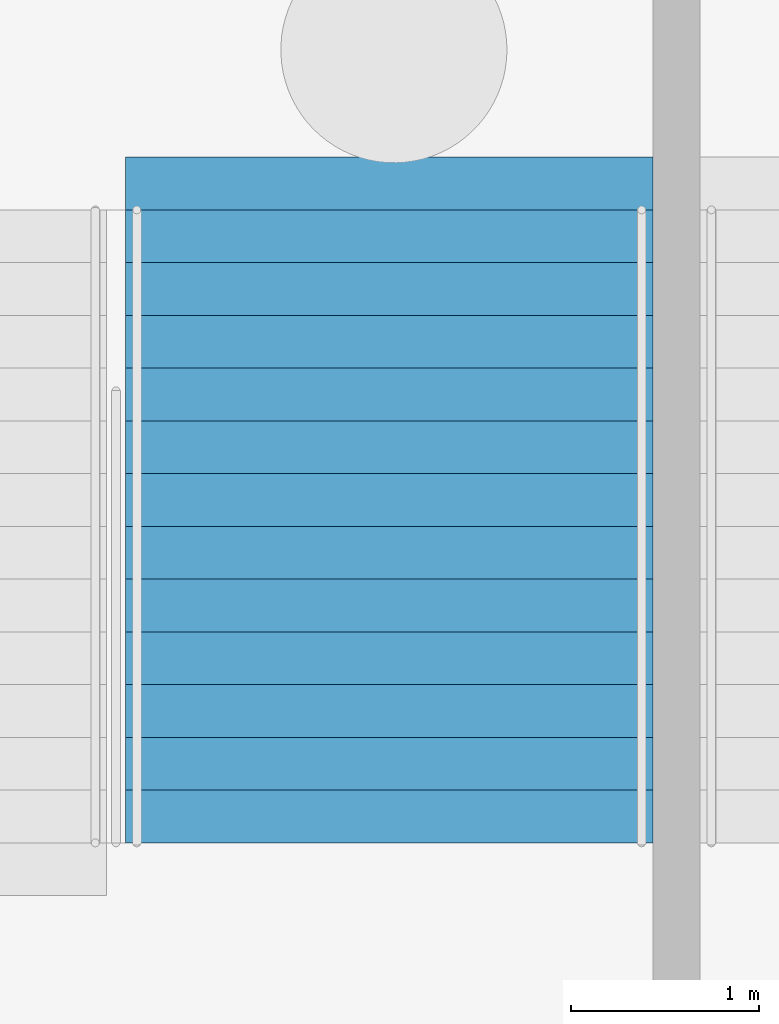
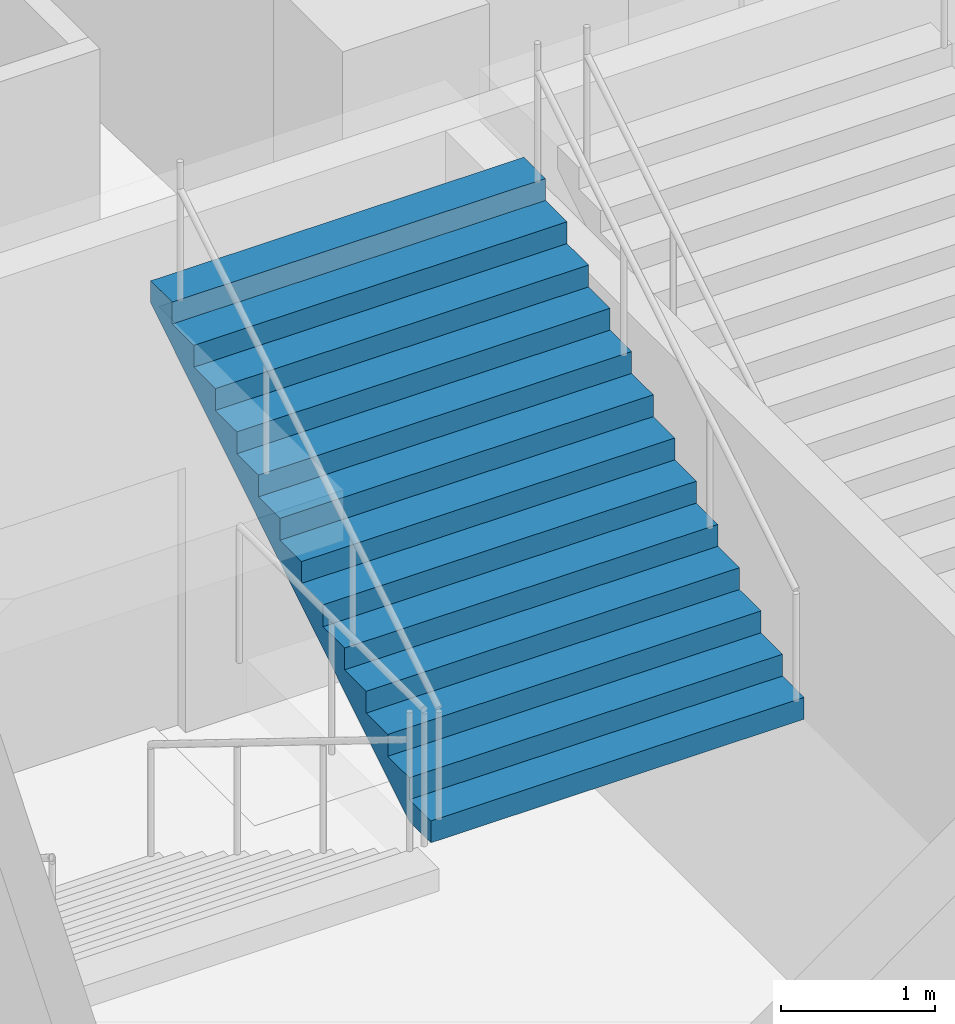
# One storey, part 68 of 115: 1 stair flight, 1 element without a shape of its own.
"""IFC4 building model written with IfcOpenShell, lengths in metres."""

from ifc_helpers import new_model, si_unit, direction, frame, origin, place, context, subcontext, project, spatial, faceted_brep, material, type_object, element, aggregate, save


model = new_model("IFC4")

# Units and contexts
model_context = context("Model", 3, precision=1e-05, world=origin(), true_north=direction((0.0, 1.0)))
body_context = subcontext(model_context, "Body", "Model", "MODEL_VIEW")
ifc_project = project(units=[si_unit("LENGTHUNIT", "METRE"), si_unit("AREAUNIT", "SQUARE_METRE"), si_unit("VOLUMEUNIT", "CUBIC_METRE"), si_unit("PLANEANGLEUNIT", "RADIAN"), si_unit("MASSUNIT", "GRAM", prefix="KILO")], contexts=[model_context])

# Site, building, storey
site_placement = place(None, origin())
site = spatial("IfcSite", under=ifc_project, at=site_placement, CompositionType="ELEMENT")
building_placement = place(site_placement, origin())
building = spatial("IfcBuilding", under=site, at=building_placement, Name="Ogive Plaza Stadium", CompositionType="ELEMENT")
storey_placement = place(building_placement, frame((0.0, 0.0, -4.5)))
storey = spatial("IfcBuildingStorey", under=building, at=storey_placement, Name="B1", CompositionType="ELEMENT", Elevation=-4.5)

# Stair, stair flight
ifc_material_1 = material(Name="Concrete C40/50", Category="concrete")
stair_type = type_object("IfcStairType", Name="Exit stair", PredefinedType="STRAIGHT_RUN_STAIR", material=ifc_material_1)
stair_placement = place(storey_placement, origin())
stair = element("IfcStair", 1, at=stair_placement, inside=storey, type_object=stair_type, Name="Exit stair ST12A B1 to L00", PredefinedType="STRAIGHT_RUN_STAIR")
ifc_material_2 = material(Name="Concrete C40/50", Category="concrete")
stair_flight_type = type_object("IfcStairFlightType", Name="Exit stair flight", PredefinedType="STRAIGHT", material=ifc_material_2)
stair_flight_placement = place(storey_placement, frame((32.47509765625, -98.2099609375, 2.25), z_axis=(0.0, 0.0, 1.0), x_axis=(0.0, 1.0, 0.0)))
stair_flight = element("IfcStairFlight", 2, at=stair_flight_placement, type_object=stair_flight_type, Name="ST12A flight 2", NumberOfRisers=13, NumberOfTreads=12, PredefinedType="STRAIGHT", RiserHeight=0.173076923, TreadLength=0.28, context=body_context, shape_type="Brep", body=[
    faceted_brep([(0.28515625, -1.39990234375, 0.0), (3.639892578125, -1.39990234375, 2.07373046875), (3.639892578125, -1.39990234375, 2.25), (3.360107421875, -1.39990234375, 2.25), (3.360107421875, -1.39990234375, 2.076904296875), (3.080078125, -1.39990234375, 2.076904296875), (3.080078125, -1.39990234375, 1.90380859375), (2.800048828125, -1.39990234375, 1.90380859375), (2.800048828125, -1.39990234375, 1.730712890625), (2.52001953125, -1.39990234375, 1.730712890625), (2.52001953125, -1.39990234375, 1.5576171875), (2.239990234375, -1.39990234375, 1.5576171875), (2.239990234375, -1.39990234375, 1.384521484375), (1.9599609375, -1.39990234375, 1.384521484375), (1.9599609375, -1.39990234375, 1.21142578125), (1.679931640625, -1.39990234375, 1.21142578125), (1.679931640625, -1.39990234375, 1.03857421875), (1.39990234375, -1.39990234375, 1.03857421875), (1.39990234375, -1.39990234375, 0.865478515625), (1.1201171875, -1.39990234375, 0.865478515625), (1.1201171875, -1.39990234375, 0.6923828125), (0.840087890625, -1.39990234375, 0.6923828125), (0.840087890625, -1.39990234375, 0.519287109375), (0.56005859375, -1.39990234375, 0.519287109375), (0.56005859375, -1.39990234375, 0.34619140625), (0.280029296875, -1.39990234375, 0.34619140625), (0.280029296875, -1.39990234375, 0.173095703125), (0.0, -1.39990234375, 0.173095703125), (0.0, -1.39990234375, 0.0), (0.0, 1.39990234375, 0.0), (0.0, 1.39990234375, 0.173095703125), (0.280029296875, 1.39990234375, 0.173095703125), (0.280029296875, 1.39990234375, 0.34619140625), (0.56005859375, 1.39990234375, 0.34619140625), (0.56005859375, 1.39990234375, 0.519287109375), (0.840087890625, 1.39990234375, 0.519287109375), (0.840087890625, 1.39990234375, 0.6923828125), (1.1201171875, 1.39990234375, 0.6923828125), (1.1201171875, 1.39990234375, 0.865478515625), (1.39990234375, 1.39990234375, 0.865478515625), (1.39990234375, 1.39990234375, 1.03857421875), (1.679931640625, 1.39990234375, 1.03857421875), (1.679931640625, 1.39990234375, 1.21142578125), (1.9599609375, 1.39990234375, 1.21142578125), (1.9599609375, 1.39990234375, 1.384521484375), (2.239990234375, 1.39990234375, 1.384521484375), (2.239990234375, 1.39990234375, 1.5576171875), (2.52001953125, 1.39990234375, 1.5576171875), (2.52001953125, 1.39990234375, 1.730712890625), (2.800048828125, 1.39990234375, 1.730712890625), (2.800048828125, 1.39990234375, 1.90380859375), (3.080078125, 1.39990234375, 1.90380859375), (3.080078125, 1.39990234375, 2.076904296875), (3.360107421875, 1.39990234375, 2.076904296875), (3.360107421875, 1.39990234375, 2.25), (3.639892578125, 1.39990234375, 2.25), (3.639892578125, 1.39990234375, 2.07373046875), (0.28515625, 1.39990234375, 0.0), (0.28515625, -1.0888671875, 0.0), (3.639892578125, -1.0888671875, 2.07373046875), (0.28515625, -0.77783203125, 0.0), (3.639892578125, -0.77783203125, 2.07373046875), (0.28515625, -0.466796875, 0.0), (3.639892578125, -0.466796875, 2.07373046875), (0.28515625, -0.155517578125, 0.0), (3.639892578125, -0.155517578125, 2.07373046875), (0.28515625, 0.155517578125, 0.0), (3.639892578125, 0.155517578125, 2.07373046875), (0.28515625, 0.466796875, 0.0), (3.639892578125, 0.466796875, 2.07373046875), (0.28515625, 0.77783203125, 0.0), (3.639892578125, 0.77783203125, 2.07373046875), (0.28515625, 1.0888671875, 0.0), (3.639892578125, 1.0888671875, 2.07373046875), (3.639892578125, -1.0888671875, 2.25), (3.639892578125, -0.77783203125, 2.25), (3.639892578125, -0.466796875, 2.25), (3.639892578125, -0.155517578125, 2.25), (3.639892578125, 0.155517578125, 2.25), (3.639892578125, 0.466796875, 2.25), (3.639892578125, 0.77783203125, 2.25), (3.639892578125, 1.0888671875, 2.25), (3.360107421875, -1.0888671875, 2.25), (3.360107421875, -0.77783203125, 2.25), (3.360107421875, -0.466796875, 2.25), (3.360107421875, -0.155517578125, 2.25), (3.360107421875, 0.155517578125, 2.25), (3.360107421875, 0.466796875, 2.25), (3.360107421875, 0.77783203125, 2.25), (3.360107421875, 1.0888671875, 2.25), (3.360107421875, -1.0888671875, 2.076904296875), (3.360107421875, -0.77783203125, 2.076904296875), (3.360107421875, -0.466796875, 2.076904296875), (3.360107421875, -0.155517578125, 2.076904296875), (3.360107421875, 0.155517578125, 2.076904296875), (3.360107421875, 0.466796875, 2.076904296875), (3.360107421875, 0.77783203125, 2.076904296875), (3.360107421875, 1.0888671875, 2.076904296875), (3.080078125, -1.0888671875, 2.076904296875), (3.080078125, -0.77783203125, 2.076904296875), (3.080078125, -0.466796875, 2.076904296875), (3.080078125, -0.155517578125, 2.076904296875), (3.080078125, 0.155517578125, 2.076904296875), (3.080078125, 0.466796875, 2.076904296875), (3.080078125, 0.77783203125, 2.076904296875), (3.080078125, 1.0888671875, 2.076904296875), (3.080078125, -1.0888671875, 1.90380859375), (3.080078125, -0.77783203125, 1.90380859375), (3.080078125, -0.466796875, 1.90380859375), (3.080078125, -0.155517578125, 1.90380859375), (3.080078125, 0.155517578125, 1.90380859375), (3.080078125, 0.466796875, 1.90380859375), (3.080078125, 0.77783203125, 1.90380859375), (3.080078125, 1.0888671875, 1.90380859375), (2.800048828125, -1.0888671875, 1.90380859375), (2.800048828125, -0.77783203125, 1.90380859375), (2.800048828125, -0.466796875, 1.90380859375), (2.800048828125, -0.155517578125, 1.90380859375), (2.800048828125, 0.155517578125, 1.90380859375), (2.800048828125, 0.466796875, 1.90380859375), (2.800048828125, 0.77783203125, 1.90380859375), (2.800048828125, 1.0888671875, 1.90380859375), (2.800048828125, -1.0888671875, 1.730712890625), (2.800048828125, -0.77783203125, 1.730712890625), (2.800048828125, -0.466796875, 1.730712890625), (2.800048828125, -0.155517578125, 1.730712890625), (2.800048828125, 0.155517578125, 1.730712890625), (2.800048828125, 0.466796875, 1.730712890625), (2.800048828125, 0.77783203125, 1.730712890625), (2.800048828125, 1.0888671875, 1.730712890625), (2.52001953125, -1.0888671875, 1.730712890625), (2.52001953125, -0.77783203125, 1.730712890625), (2.52001953125, -0.466796875, 1.730712890625), (2.52001953125, -0.155517578125, 1.730712890625), (2.52001953125, 0.155517578125, 1.730712890625), (2.52001953125, 0.466796875, 1.730712890625), (2.52001953125, 0.77783203125, 1.730712890625), (2.52001953125, 1.0888671875, 1.730712890625), (2.52001953125, -1.0888671875, 1.5576171875), (2.52001953125, -0.77783203125, 1.5576171875), (2.52001953125, -0.466796875, 1.5576171875), (2.52001953125, -0.155517578125, 1.5576171875), (2.52001953125, 0.155517578125, 1.5576171875), (2.52001953125, 0.466796875, 1.5576171875), (2.52001953125, 0.77783203125, 1.5576171875), (2.52001953125, 1.0888671875, 1.5576171875), (2.239990234375, -1.0888671875, 1.5576171875), (2.239990234375, -0.77783203125, 1.5576171875), (2.239990234375, -0.466796875, 1.5576171875), (2.239990234375, -0.155517578125, 1.5576171875), (2.239990234375, 0.155517578125, 1.5576171875), (2.239990234375, 0.466796875, 1.5576171875), (2.239990234375, 0.77783203125, 1.5576171875), (2.239990234375, 1.0888671875, 1.5576171875), (2.239990234375, -1.0888671875, 1.384521484375), (2.239990234375, -0.77783203125, 1.384521484375), (2.239990234375, -0.466796875, 1.384521484375), (2.239990234375, -0.155517578125, 1.384521484375), (2.239990234375, 0.155517578125, 1.384521484375), (2.239990234375, 0.466796875, 1.384521484375), (2.239990234375, 0.77783203125, 1.384521484375), (2.239990234375, 1.0888671875, 1.384521484375), (1.9599609375, -1.0888671875, 1.384521484375), (1.9599609375, -0.77783203125, 1.384521484375), (1.9599609375, -0.466796875, 1.384521484375), (1.9599609375, -0.155517578125, 1.384521484375), (1.9599609375, 0.155517578125, 1.384521484375), (1.9599609375, 0.466796875, 1.384521484375), (1.9599609375, 0.77783203125, 1.384521484375), (1.9599609375, 1.0888671875, 1.384521484375), (1.9599609375, -1.0888671875, 1.21142578125), (1.9599609375, -0.77783203125, 1.21142578125), (1.9599609375, -0.466796875, 1.21142578125), (1.9599609375, -0.155517578125, 1.21142578125), (1.9599609375, 0.155517578125, 1.21142578125), (1.9599609375, 0.466796875, 1.21142578125), (1.9599609375, 0.77783203125, 1.21142578125), (1.9599609375, 1.0888671875, 1.21142578125), (1.679931640625, -1.0888671875, 1.21142578125), (1.679931640625, -0.77783203125, 1.21142578125), (1.679931640625, -0.466796875, 1.21142578125), (1.679931640625, -0.155517578125, 1.21142578125), (1.679931640625, 0.155517578125, 1.21142578125), (1.679931640625, 0.466796875, 1.21142578125), (1.679931640625, 0.77783203125, 1.21142578125), (1.679931640625, 1.0888671875, 1.21142578125), (1.679931640625, -1.0888671875, 1.03857421875), (1.679931640625, -0.77783203125, 1.03857421875), (1.679931640625, -0.466796875, 1.03857421875), (1.679931640625, -0.155517578125, 1.03857421875), (1.679931640625, 0.155517578125, 1.03857421875), (1.679931640625, 0.466796875, 1.03857421875), (1.679931640625, 0.77783203125, 1.03857421875), (1.679931640625, 1.0888671875, 1.03857421875), (1.39990234375, -1.0888671875, 1.03857421875), (1.39990234375, -0.77783203125, 1.03857421875), (1.39990234375, -0.466796875, 1.03857421875), (1.39990234375, -0.155517578125, 1.03857421875), (1.39990234375, 0.155517578125, 1.03857421875), (1.39990234375, 0.466796875, 1.03857421875), (1.39990234375, 0.77783203125, 1.03857421875), (1.39990234375, 1.0888671875, 1.03857421875), (1.39990234375, -1.0888671875, 0.865478515625), (1.39990234375, -0.77783203125, 0.865478515625), (1.39990234375, -0.466796875, 0.865478515625), (1.39990234375, -0.155517578125, 0.865478515625), (1.39990234375, 0.155517578125, 0.865478515625), (1.39990234375, 0.466796875, 0.865478515625), (1.39990234375, 0.77783203125, 0.865478515625), (1.39990234375, 1.0888671875, 0.865478515625), (1.1201171875, -1.0888671875, 0.865478515625), (1.1201171875, -0.77783203125, 0.865478515625), (1.1201171875, -0.466796875, 0.865478515625), (1.1201171875, -0.155517578125, 0.865478515625), (1.1201171875, 0.155517578125, 0.865478515625), (1.1201171875, 0.466796875, 0.865478515625), (1.1201171875, 0.77783203125, 0.865478515625), (1.1201171875, 1.0888671875, 0.865478515625), (1.1201171875, -1.0888671875, 0.6923828125), (1.1201171875, -0.77783203125, 0.6923828125), (1.1201171875, -0.466796875, 0.6923828125), (1.1201171875, -0.155517578125, 0.6923828125), (1.1201171875, 0.155517578125, 0.6923828125), (1.1201171875, 0.466796875, 0.6923828125), (1.1201171875, 0.77783203125, 0.6923828125), (1.1201171875, 1.0888671875, 0.6923828125), (0.840087890625, -1.0888671875, 0.6923828125), (0.840087890625, -0.77783203125, 0.6923828125), (0.840087890625, -0.466796875, 0.6923828125), (0.840087890625, -0.155517578125, 0.6923828125), (0.840087890625, 0.155517578125, 0.6923828125), (0.840087890625, 0.466796875, 0.6923828125), (0.840087890625, 0.77783203125, 0.6923828125), (0.840087890625, 1.0888671875, 0.6923828125), (0.840087890625, -1.0888671875, 0.519287109375), (0.840087890625, -0.77783203125, 0.519287109375), (0.840087890625, -0.466796875, 0.519287109375), (0.840087890625, -0.155517578125, 0.519287109375), (0.840087890625, 0.155517578125, 0.519287109375), (0.840087890625, 0.466796875, 0.519287109375), (0.840087890625, 0.77783203125, 0.519287109375), (0.840087890625, 1.0888671875, 0.519287109375), (0.56005859375, -1.0888671875, 0.519287109375), (0.56005859375, -0.77783203125, 0.519287109375), (0.56005859375, -0.466796875, 0.519287109375), (0.56005859375, -0.155517578125, 0.519287109375), (0.56005859375, 0.155517578125, 0.519287109375), (0.56005859375, 0.466796875, 0.519287109375), (0.56005859375, 0.77783203125, 0.519287109375), (0.56005859375, 1.0888671875, 0.519287109375), (0.56005859375, -1.0888671875, 0.34619140625), (0.56005859375, -0.77783203125, 0.34619140625), (0.56005859375, -0.466796875, 0.34619140625), (0.56005859375, -0.155517578125, 0.34619140625), (0.56005859375, 0.155517578125, 0.34619140625), (0.56005859375, 0.466796875, 0.34619140625), (0.56005859375, 0.77783203125, 0.34619140625), (0.56005859375, 1.0888671875, 0.34619140625), (0.280029296875, -1.0888671875, 0.34619140625), (0.280029296875, -0.77783203125, 0.34619140625), (0.280029296875, -0.466796875, 0.34619140625), (0.280029296875, -0.155517578125, 0.34619140625), (0.280029296875, 0.155517578125, 0.34619140625), (0.280029296875, 0.466796875, 0.34619140625), (0.280029296875, 0.77783203125, 0.34619140625), (0.280029296875, 1.0888671875, 0.34619140625), (0.280029296875, -1.0888671875, 0.173095703125), (0.280029296875, -0.77783203125, 0.173095703125), (0.280029296875, -0.466796875, 0.173095703125), (0.280029296875, -0.155517578125, 0.173095703125), (0.280029296875, 0.155517578125, 0.173095703125), (0.280029296875, 0.466796875, 0.173095703125), (0.280029296875, 0.77783203125, 0.173095703125), (0.280029296875, 1.0888671875, 0.173095703125), (0.0, -1.0888671875, 0.173095703125), (0.0, -0.77783203125, 0.173095703125), (0.0, -0.466796875, 0.173095703125), (0.0, -0.155517578125, 0.173095703125), (0.0, 0.155517578125, 0.173095703125), (0.0, 0.466796875, 0.173095703125), (0.0, 0.77783203125, 0.173095703125), (0.0, 1.0888671875, 0.173095703125), (0.0, -1.0888671875, 0.0), (0.0, -0.77783203125, 0.0), (0.0, -0.466796875, 0.0), (0.0, -0.155517578125, 0.0), (0.0, 0.155517578125, 0.0), (0.0, 0.466796875, 0.0), (0.0, 0.77783203125, 0.0), (0.0, 1.0888671875, 0.0)], [[[0, 1, 2, 3, 4, 5, 6, 7, 8, 9, 10, 11, 12, 13, 14, 15, 16, 17, 18, 19, 20, 21, 22, 23, 24, 25, 26, 27, 28]], [[29, 30, 31, 32, 33, 34, 35, 36, 37, 38, 39, 40, 41, 42, 43, 44, 45, 46, 47, 48, 49, 50, 51, 52, 53, 54, 55, 56, 57]], [[0, 58, 59, 1]], [[58, 60, 61, 59]], [[60, 62, 63, 61]], [[62, 64, 65, 63]], [[64, 66, 67, 65]], [[66, 68, 69, 67]], [[68, 70, 71, 69]], [[70, 72, 73, 71]], [[72, 57, 56, 73]], [[1, 59, 74, 2]], [[59, 61, 75, 74]], [[61, 63, 76, 75]], [[63, 65, 77, 76]], [[65, 67, 78, 77]], [[67, 69, 79, 78]], [[69, 71, 80, 79]], [[71, 73, 81, 80]], [[73, 56, 55, 81]], [[2, 74, 82, 3]], [[74, 75, 83, 82]], [[75, 76, 84, 83]], [[76, 77, 85, 84]], [[77, 78, 86, 85]], [[78, 79, 87, 86]], [[79, 80, 88, 87]], [[80, 81, 89, 88]], [[81, 55, 54, 89]], [[3, 82, 90, 4]], [[82, 83, 91, 90]], [[83, 84, 92, 91]], [[84, 85, 93, 92]], [[85, 86, 94, 93]], [[86, 87, 95, 94]], [[87, 88, 96, 95]], [[88, 89, 97, 96]], [[89, 54, 53, 97]], [[4, 90, 98, 5]], [[90, 91, 99, 98]], [[91, 92, 100, 99]], [[92, 93, 101, 100]], [[93, 94, 102, 101]], [[94, 95, 103, 102]], [[95, 96, 104, 103]], [[96, 97, 105, 104]], [[97, 53, 52, 105]], [[5, 98, 106, 6]], [[98, 99, 107, 106]], [[99, 100, 108, 107]], [[100, 101, 109, 108]], [[101, 102, 110, 109]], [[102, 103, 111, 110]], [[103, 104, 112, 111]], [[104, 105, 113, 112]], [[105, 52, 51, 113]], [[6, 106, 114, 7]], [[106, 107, 115, 114]], [[107, 108, 116, 115]], [[108, 109, 117, 116]], [[109, 110, 118, 117]], [[110, 111, 119, 118]], [[111, 112, 120, 119]], [[112, 113, 121, 120]], [[113, 51, 50, 121]], [[7, 114, 122, 8]], [[114, 115, 123, 122]], [[115, 116, 124, 123]], [[116, 117, 125, 124]], [[117, 118, 126, 125]], [[118, 119, 127, 126]], [[119, 120, 128, 127]], [[120, 121, 129, 128]], [[121, 50, 49, 129]], [[8, 122, 130, 9]], [[122, 123, 131, 130]], [[123, 124, 132, 131]], [[124, 125, 133, 132]], [[125, 126, 134, 133]], [[126, 127, 135, 134]], [[127, 128, 136, 135]], [[128, 129, 137, 136]], [[129, 49, 48, 137]], [[9, 130, 138, 10]], [[130, 131, 139, 138]], [[131, 132, 140, 139]], [[132, 133, 141, 140]], [[133, 134, 142, 141]], [[134, 135, 143, 142]], [[135, 136, 144, 143]], [[136, 137, 145, 144]], [[137, 48, 47, 145]], [[10, 138, 146, 11]], [[138, 139, 147, 146]], [[139, 140, 148, 147]], [[140, 141, 149, 148]], [[141, 142, 150, 149]], [[142, 143, 151, 150]], [[143, 144, 152, 151]], [[144, 145, 153, 152]], [[145, 47, 46, 153]], [[11, 146, 154, 12]], [[146, 147, 155, 154]], [[147, 148, 156, 155]], [[148, 149, 157, 156]], [[149, 150, 158, 157]], [[150, 151, 159, 158]], [[151, 152, 160, 159]], [[152, 153, 161, 160]], [[153, 46, 45, 161]], [[12, 154, 162, 13]], [[154, 155, 163, 162]], [[155, 156, 164, 163]], [[156, 157, 165, 164]], [[157, 158, 166, 165]], [[158, 159, 167, 166]], [[159, 160, 168, 167]], [[160, 161, 169, 168]], [[161, 45, 44, 169]], [[13, 162, 170, 14]], [[162, 163, 171, 170]], [[163, 164, 172, 171]], [[164, 165, 173, 172]], [[165, 166, 174, 173]], [[166, 167, 175, 174]], [[167, 168, 176, 175]], [[168, 169, 177, 176]], [[169, 44, 43, 177]], [[14, 170, 178, 15]], [[170, 171, 179, 178]], [[171, 172, 180, 179]], [[172, 173, 181, 180]], [[173, 174, 182, 181]], [[174, 175, 183, 182]], [[175, 176, 184, 183]], [[176, 177, 185, 184]], [[177, 43, 42, 185]], [[15, 178, 186, 16]], [[178, 179, 187, 186]], [[179, 180, 188, 187]], [[180, 181, 189, 188]], [[181, 182, 190, 189]], [[182, 183, 191, 190]], [[183, 184, 192, 191]], [[184, 185, 193, 192]], [[185, 42, 41, 193]], [[16, 186, 194, 17]], [[186, 187, 195, 194]], [[187, 188, 196, 195]], [[188, 189, 197, 196]], [[189, 190, 198, 197]], [[190, 191, 199, 198]], [[191, 192, 200, 199]], [[192, 193, 201, 200]], [[193, 41, 40, 201]], [[17, 194, 202, 18]], [[194, 195, 203, 202]], [[195, 196, 204, 203]], [[196, 197, 205, 204]], [[197, 198, 206, 205]], [[198, 199, 207, 206]], [[199, 200, 208, 207]], [[200, 201, 209, 208]], [[201, 40, 39, 209]], [[18, 202, 210, 19]], [[202, 203, 211, 210]], [[203, 204, 212, 211]], [[204, 205, 213, 212]], [[205, 206, 214, 213]], [[206, 207, 215, 214]], [[207, 208, 216, 215]], [[208, 209, 217, 216]], [[209, 39, 38, 217]], [[19, 210, 218, 20]], [[210, 211, 219, 218]], [[211, 212, 220, 219]], [[212, 213, 221, 220]], [[213, 214, 222, 221]], [[214, 215, 223, 222]], [[215, 216, 224, 223]], [[216, 217, 225, 224]], [[217, 38, 37, 225]], [[20, 218, 226, 21]], [[218, 219, 227, 226]], [[219, 220, 228, 227]], [[220, 221, 229, 228]], [[221, 222, 230, 229]], [[222, 223, 231, 230]], [[223, 224, 232, 231]], [[224, 225, 233, 232]], [[225, 37, 36, 233]], [[21, 226, 234, 22]], [[226, 227, 235, 234]], [[227, 228, 236, 235]], [[228, 229, 237, 236]], [[229, 230, 238, 237]], [[230, 231, 239, 238]], [[231, 232, 240, 239]], [[232, 233, 241, 240]], [[233, 36, 35, 241]], [[22, 234, 242, 23]], [[234, 235, 243, 242]], [[235, 236, 244, 243]], [[236, 237, 245, 244]], [[237, 238, 246, 245]], [[238, 239, 247, 246]], [[239, 240, 248, 247]], [[240, 241, 249, 248]], [[241, 35, 34, 249]], [[23, 242, 250, 24]], [[242, 243, 251, 250]], [[243, 244, 252, 251]], [[244, 245, 253, 252]], [[245, 246, 254, 253]], [[246, 247, 255, 254]], [[247, 248, 256, 255]], [[248, 249, 257, 256]], [[249, 34, 33, 257]], [[24, 250, 258, 25]], [[250, 251, 259, 258]], [[251, 252, 260, 259]], [[252, 253, 261, 260]], [[253, 254, 262, 261]], [[254, 255, 263, 262]], [[255, 256, 264, 263]], [[256, 257, 265, 264]], [[257, 33, 32, 265]], [[25, 258, 266, 26]], [[258, 259, 267, 266]], [[259, 260, 268, 267]], [[260, 261, 269, 268]], [[261, 262, 270, 269]], [[262, 263, 271, 270]], [[263, 264, 272, 271]], [[264, 265, 273, 272]], [[265, 32, 31, 273]], [[26, 266, 274, 27]], [[266, 267, 275, 274]], [[267, 268, 276, 275]], [[268, 269, 277, 276]], [[269, 270, 278, 277]], [[270, 271, 279, 278]], [[271, 272, 280, 279]], [[272, 273, 281, 280]], [[273, 31, 30, 281]], [[27, 274, 282, 28]], [[274, 275, 283, 282]], [[275, 276, 284, 283]], [[276, 277, 285, 284]], [[277, 278, 286, 285]], [[278, 279, 287, 286]], [[279, 280, 288, 287]], [[280, 281, 289, 288]], [[281, 30, 29, 289]], [[28, 282, 58, 0]], [[282, 283, 60, 58]], [[283, 284, 62, 60]], [[284, 285, 64, 62]], [[285, 286, 66, 64]], [[286, 287, 68, 66]], [[287, 288, 70, 68]], [[288, 289, 72, 70]], [[289, 29, 57, 72]]]),
])
aggregate(stair, [stair_flight])

save(model, "model.ifc")
